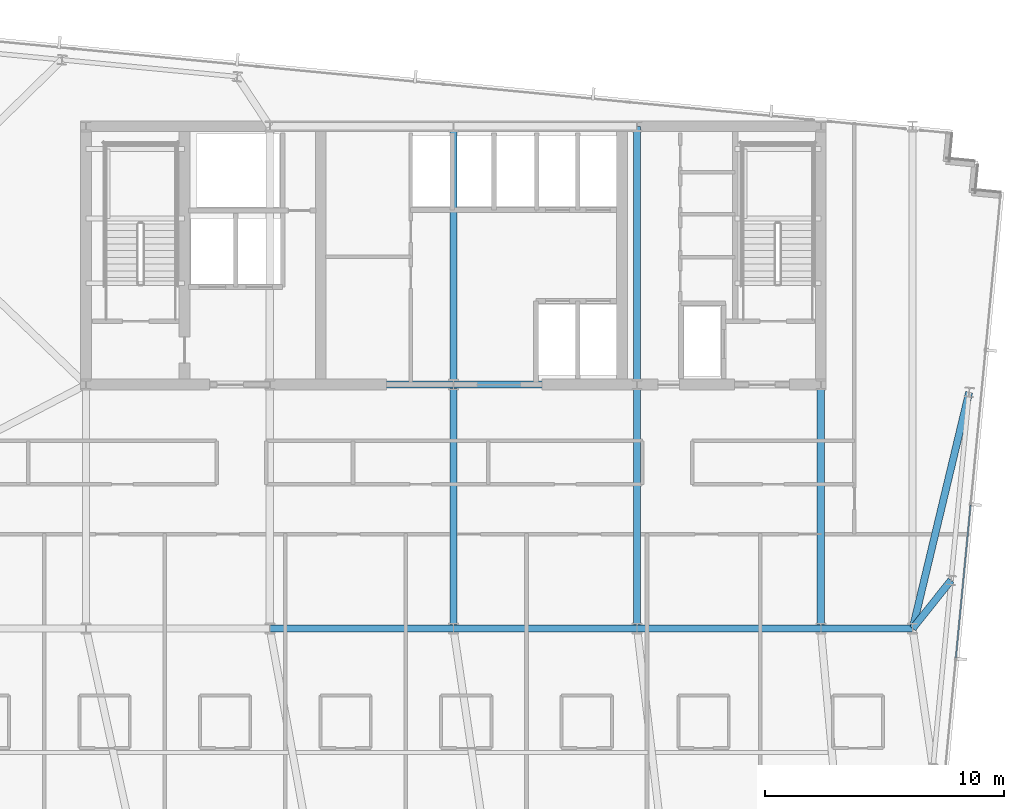
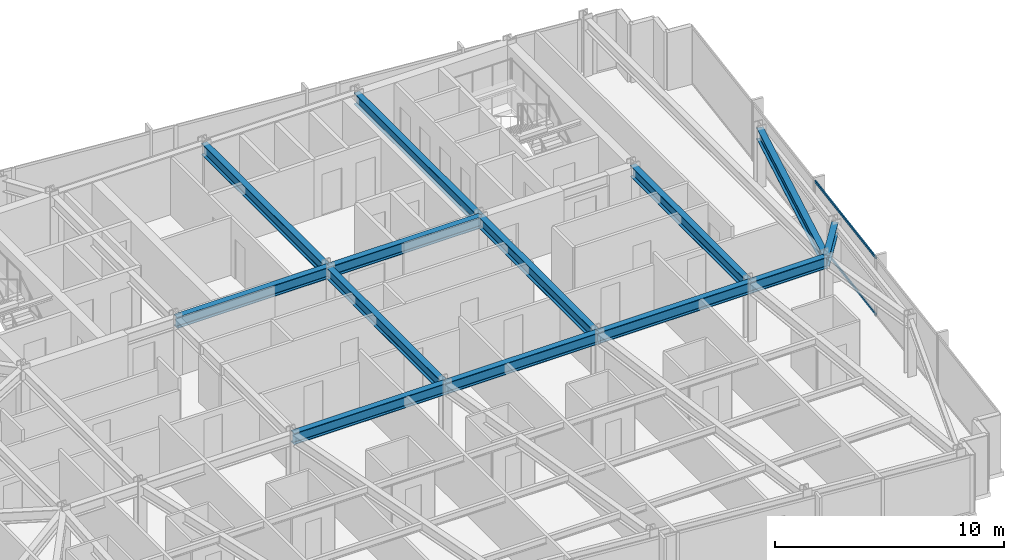
# One storey, part 17 of 37: 13 beams, 2 members, 1 element without a shape of its own.
"""IFC4 building model written with IfcOpenShell, lengths in metres."""

from ifc_helpers import new_model, si_unit, direction, frame, origin, origin_2d, place, context, subcontext, project, spatial, hollow_rectangle, i_section, extrude, material, material_profile, profile_set, type_object, element, aggregate, save


model = new_model("IFC4")

# Units and contexts
model_context = context("Model", 3, precision=1e-05, world=origin(), true_north=direction((0.0, 1.0)))
body_context = subcontext(model_context, "Body", "Model", "MODEL_VIEW")
ifc_project = project(units=[si_unit("LENGTHUNIT", "METRE"), si_unit("AREAUNIT", "SQUARE_METRE"), si_unit("VOLUMEUNIT", "CUBIC_METRE"), si_unit("PLANEANGLEUNIT", "RADIAN"), si_unit("MASSUNIT", "GRAM", prefix="KILO")], contexts=[model_context])

# Site, building, storey
site_placement = place(None, origin())
site = spatial("IfcSite", under=ifc_project, at=site_placement, CompositionType="ELEMENT")
building_placement = place(site_placement, origin())
building = spatial("IfcBuilding", under=site, at=building_placement, Name="Yelkora Congress Tower", CompositionType="ELEMENT")
storey_placement = place(building_placement, frame((0.0, 0.0, 182.0)))
storey = spatial("IfcBuildingStorey", under=building, at=storey_placement, Name="L50", CompositionType="ELEMENT", Elevation=182.0)

# Beams
ifc_material_1 = material(Name="Steel S355J2", Category="steel")
ifc_material_profile_1 = material_profile(ifc_material_1, i_section(OverallWidth=0.300048828125, OverallDepth=0.60009765625, WebThickness=0.015380859375, FlangeThickness=0.030029296875, FilletRadius=0.027099609375, at=origin_2d()), Name="HEB 600")
ifc_profile_set_1 = profile_set([ifc_material_profile_1], Name="Steel S355J2")
beam_type = type_object("IfcBeamType", Name="BM-GIRD-HEB600", PredefinedType="BEAM", material=ifc_profile_set_1)
beam_1_placement = place(storey_placement, frame((30.719970703125, 25.199951171875, 2.780029296875), z_axis=(1.0, 0.0, 0.0), x_axis=(0.0, 1.0, 0.0)))
element("IfcBeam", 1, at=beam_1_placement, inside=storey, type_object=beam_type, Name="L50 Spine Grid D Girder 3", PredefinedType="BEAM", context=body_context, shape_type="SweptSolid", body=[
    extrude(i_section(OverallWidth=0.300048828125, OverallDepth=0.60009765625, WebThickness=0.015380859375, FlangeThickness=0.030029296875, FilletRadius=0.027099609375, at=origin_2d()), origin(), (0.0, 0.0, 1.0), 7.679931640625),
])
beam_2_placement = place(storey_placement, frame((38.39990234375, 25.199951171875, 2.780029296875), z_axis=(1.0, 0.0, 0.0), x_axis=(0.0, 1.0, 0.0)))
element("IfcBeam", 2, at=beam_2_placement, inside=storey, type_object=beam_type, Name="L50 Spine Grid D Girder 4", PredefinedType="BEAM", context=body_context, shape_type="SweptSolid", body=[
    extrude(i_section(OverallWidth=0.300048828125, OverallDepth=0.60009765625, WebThickness=0.015380859375, FlangeThickness=0.030029296875, FilletRadius=0.027099609375, at=origin_2d()), origin(), (0.0, 0.0, 1.0), 7.68017578125),
])
beam_3_placement = place(storey_placement, frame((46.080078125, 25.199951171875, 2.780029296875), z_axis=(1.0, 0.0, 0.0), x_axis=(0.0, 1.0, 0.0)))
element("IfcBeam", 3, at=beam_3_placement, inside=storey, type_object=beam_type, Name="L50 Spine Grid D Girder 5", PredefinedType="BEAM", context=body_context, shape_type="SweptSolid", body=[
    extrude(i_section(OverallWidth=0.300048828125, OverallDepth=0.60009765625, WebThickness=0.015380859375, FlangeThickness=0.030029296875, FilletRadius=0.027099609375, at=origin_2d()), origin(), (0.0, 0.0, 1.0), 7.679931640625),
])
beam_4_placement = place(storey_placement, frame((53.760009765625, 25.199951171875, 2.780029296875), z_axis=(1.0, 0.0, 0.0), x_axis=(0.0, 1.0, 0.0)))
element("IfcBeam", 4, at=beam_4_placement, inside=storey, type_object=beam_type, Name="L50 Spine Grid D Girder 6", PredefinedType="BEAM", context=body_context, shape_type="SweptSolid", body=[
    extrude(i_section(OverallWidth=0.300048828125, OverallDepth=0.60009765625, WebThickness=0.015380859375, FlangeThickness=0.030029296875, FilletRadius=0.027099609375, at=origin_2d()), origin(), (0.0, 0.0, 1.0), 3.840087890625),
])
beam_5_placement = place(storey_placement, frame((30.719970703125, 35.39990234375, 2.780029296875), z_axis=(1.0, 0.0, 0.0), x_axis=(0.0, 1.0, 0.0)))
element("IfcBeam", 5, at=beam_5_placement, inside=storey, type_object=beam_type, Name="L50 Core South Girder 2", PredefinedType="BEAM", context=body_context, shape_type="SweptSolid", body=[
    extrude(i_section(OverallWidth=0.300048828125, OverallDepth=0.60009765625, WebThickness=0.015380859375, FlangeThickness=0.030029296875, FilletRadius=0.027099609375, at=origin_2d()), origin(), (0.0, 0.0, 1.0), 7.679931640625),
])
beam_6_placement = place(storey_placement, frame((38.39990234375, 35.39990234375, 2.780029296875), z_axis=(1.0, 0.0, 0.0), x_axis=(0.0, 1.0, 0.0)))
element("IfcBeam", 6, at=beam_6_placement, inside=storey, type_object=beam_type, Name="L50 Core South Girder 3", PredefinedType="BEAM", context=body_context, shape_type="SweptSolid", body=[
    extrude(i_section(OverallWidth=0.300048828125, OverallDepth=0.60009765625, WebThickness=0.015380859375, FlangeThickness=0.030029296875, FilletRadius=0.027099609375, at=origin_2d()), origin(), (0.0, 0.0, 1.0), 7.68017578125),
])
beam_7_placement = place(storey_placement, frame((38.39990234375, 25.199951171875, 2.780029296875), z_axis=(0.0, 1.0, 0.0), x_axis=(-1.0, 0.0, 0.0)))
element("IfcBeam", 7, at=beam_7_placement, inside=storey, type_object=beam_type, Name="L50 Core Tie Girder MC-D3", PredefinedType="BEAM", context=body_context, shape_type="SweptSolid", body=[
    extrude(i_section(OverallWidth=0.300048828125, OverallDepth=0.60009765625, WebThickness=0.015380859375, FlangeThickness=0.030029296875, FilletRadius=0.027099609375, at=origin_2d()), origin(), (0.0, 0.0, 1.0), 10.199951171875),
])
beam_8_placement = place(storey_placement, frame((38.39990234375, 35.39990234375, 2.780029296875), z_axis=(0.0, 1.0, 0.0), x_axis=(-1.0, 0.0, 0.0)))
element("IfcBeam", 8, at=beam_8_placement, inside=storey, type_object=beam_type, Name="L50 Core Tie Girder MC-S3", PredefinedType="BEAM", context=body_context, shape_type="SweptSolid", body=[
    extrude(i_section(OverallWidth=0.300048828125, OverallDepth=0.60009765625, WebThickness=0.015380859375, FlangeThickness=0.030029296875, FilletRadius=0.027099609375, at=origin_2d()), origin(), (0.0, 0.0, 1.0), 10.800048828125),
])
beam_9_placement = place(storey_placement, frame((46.080078125, 25.199951171875, 2.780029296875), z_axis=(0.0, 1.0, 0.0), x_axis=(-1.0, 0.0, 0.0)))
element("IfcBeam", 9, at=beam_9_placement, inside=storey, type_object=beam_type, Name="L50 Core Tie Girder MC-D4", PredefinedType="BEAM", context=body_context, shape_type="SweptSolid", body=[
    extrude(i_section(OverallWidth=0.300048828125, OverallDepth=0.60009765625, WebThickness=0.015380859375, FlangeThickness=0.030029296875, FilletRadius=0.027099609375, at=origin_2d()), origin(), (0.0, 0.0, 1.0), 10.199951171875),
])
beam_10_placement = place(storey_placement, frame((46.080078125, 35.39990234375, 2.780029296875), z_axis=(0.0, 1.0, 0.0), x_axis=(-1.0, 0.0, 0.0)))
element("IfcBeam", 10, at=beam_10_placement, inside=storey, type_object=beam_type, Name="L50 Core Tie Girder MC-S4", PredefinedType="BEAM", context=body_context, shape_type="SweptSolid", body=[
    extrude(i_section(OverallWidth=0.300048828125, OverallDepth=0.60009765625, WebThickness=0.015380859375, FlangeThickness=0.030029296875, FilletRadius=0.027099609375, at=origin_2d()), origin(), (0.0, 0.0, 1.0), 10.800048828125),
])
beam_11_placement = place(storey_placement, frame((53.760009765625, 25.199951171875, 2.780029296875), z_axis=(0.0, 1.0, 0.0), x_axis=(-1.0, 0.0, 0.0)))
element("IfcBeam", 11, at=beam_11_placement, inside=storey, type_object=beam_type, Name="L50 Core Tie Girder MC-D5", PredefinedType="BEAM", context=body_context, shape_type="SweptSolid", body=[
    extrude(i_section(OverallWidth=0.300048828125, OverallDepth=0.60009765625, WebThickness=0.015380859375, FlangeThickness=0.030029296875, FilletRadius=0.027099609375, at=origin_2d()), origin(), (0.0, 0.0, 1.0), 10.199951171875),
])
beam_12_placement = place(storey_placement, frame((59.206298828125, 27.217529296875, 2.780029296875), z_axis=(-0.622834511353, -0.782353610248, 0.0), x_axis=(0.782353610248, -0.622834511353, 0.0)))
element("IfcBeam", 12, at=beam_12_placement, inside=storey, type_object=beam_type, Name="L50 Primary Frame Girder E02", PredefinedType="BEAM", context=body_context, shape_type="SweptSolid", body=[
    extrude(i_section(OverallWidth=0.300048828125, OverallDepth=0.60009765625, WebThickness=0.015380859375, FlangeThickness=0.030029296875, FilletRadius=0.027099609375, at=origin_2d()), origin(), (0.0, 0.0, 1.0), 2.578857421875),
])
beam_13_placement = place(storey_placement, frame((59.96337890625, 35.0810546875, 2.780029296875), z_axis=(-0.23261126158, -0.972569792347, 0.0), x_axis=(0.972569792347, -0.23261126158, 0.0)))
element("IfcBeam", 13, at=beam_13_placement, inside=storey, type_object=beam_type, Name="L50 Primary Frame Girder E03", PredefinedType="BEAM", context=body_context, shape_type="SweptSolid", body=[
    extrude(i_section(OverallWidth=0.300048828125, OverallDepth=0.60009765625, WebThickness=0.015380859375, FlangeThickness=0.030029296875, FilletRadius=0.027099609375, at=origin_2d()), origin(), (0.0, 0.0, 1.0), 10.15966796875),
])

# Curtain wall, members
ifc_material_2 = material(Name="Anodised aluminium and insulated glass", Category="aluminium")
curtain_wall_type = type_object("IfcCurtainWallType", Name="CW-SYS-B3", PredefinedType="NOTDEFINED", material=ifc_material_2)
curtain_wall_placement = place(storey_placement, origin())
curtain_wall = element("IfcCurtainWall", 14, at=curtain_wall_placement, inside=storey, type_object=curtain_wall_type, Name="L50 Unitised Curtain Wall 15", PredefinedType="NOTDEFINED")
ifc_material_3 = material(Name="Anodised aluminium 6063-T6", Category="aluminium")
ifc_material_profile_2 = material_profile(ifc_material_3, hollow_rectangle(XDim=0.06005859375, YDim=0.1298828125, WallThickness=0.00390625, at=origin_2d()), Name="ALU 60x130x4")
ifc_profile_set_2 = profile_set([ifc_material_profile_2], Name="Anodised aluminium 6063-T6")
member_type = type_object("IfcMemberType", Name="MEM-TR-B3", PredefinedType="USERDEFINED", material=ifc_profile_set_2)
member_1_placement = place(storey_placement, frame((60.021484375, 30.36083984375, 0.030029296875), z_axis=(-0.095843682057, -0.995396397728, 0.0), x_axis=(0.995396397728, -0.095843682057, 0.0)))
member_1 = element("IfcMember", 15, at=member_1_placement, type_object=member_type, Name="CW-B3 transom 3.1", ObjectType="TRANSOM", PredefinedType="USERDEFINED", context=body_context, shape_type="SweptSolid", body=[
    extrude(hollow_rectangle(XDim=0.06005859375, YDim=0.1298828125, WallThickness=0.00390625, at=origin_2d()), origin(), (0.0, 0.0, 1.0), 6.4140625),
])
member_2_placement = place(storey_placement, frame((60.021484375, 30.36083984375, 3.050048828125), z_axis=(-0.095843682057, -0.995396397728, 0.0), x_axis=(0.995396397728, -0.095843682057, 0.0)))
member_2 = element("IfcMember", 16, at=member_2_placement, type_object=member_type, Name="CW-B3 transom 3.2", ObjectType="TRANSOM", PredefinedType="USERDEFINED", context=body_context, shape_type="SweptSolid", body=[
    extrude(hollow_rectangle(XDim=0.06005859375, YDim=0.1298828125, WallThickness=0.00390625, at=origin_2d()), origin(), (0.0, 0.0, 1.0), 6.4140625),
])
aggregate(curtain_wall, [member_1, member_2])

save(model, "model.ifc")
